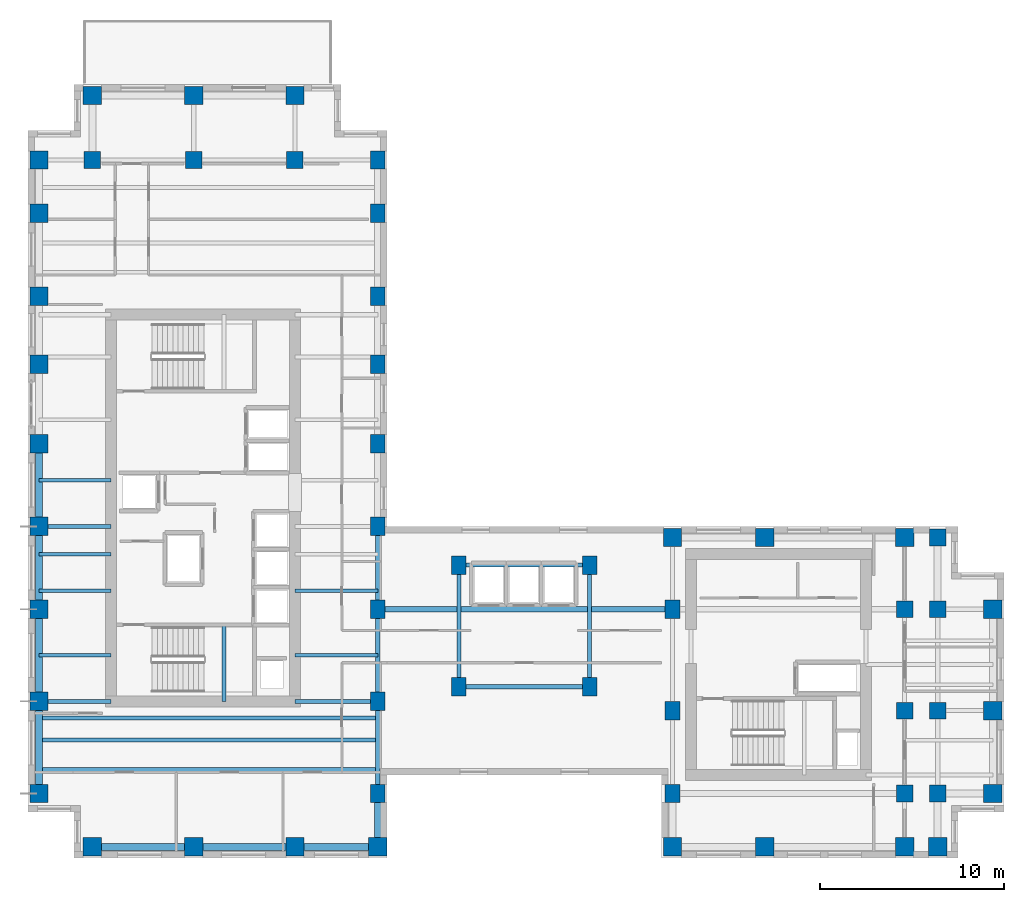
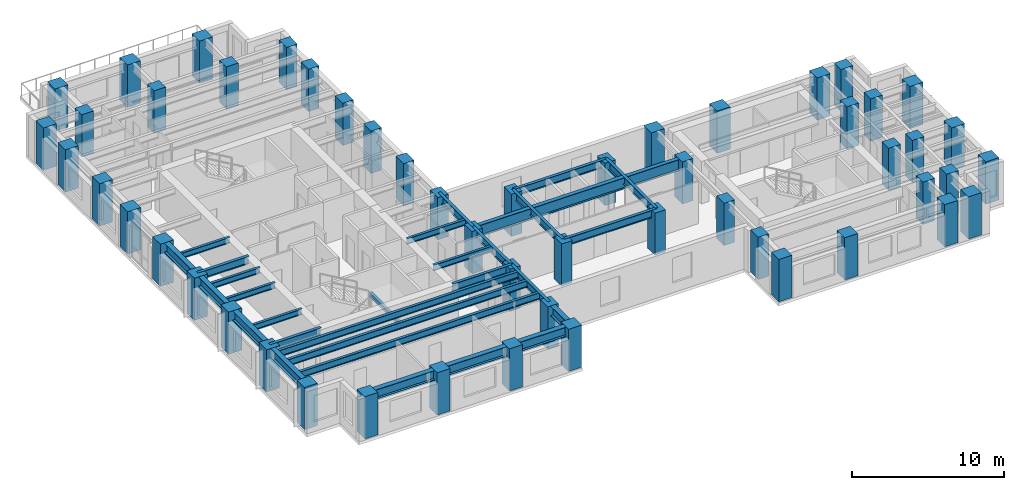
# One storey, part 1 of 13: 52 columns, 29 beams.
"""IFC4 building model written with IfcOpenShell, lengths in metres."""

from ifc_helpers import new_model, si_unit, direction, frame, origin, origin_2d, place, context, subcontext, project, spatial, rectangle, i_section, extrude, source, transform, mapped, material, material_profile, profile_set, type_object, element, save


model = new_model("IFC4")

# Units and contexts
model_context = context("Model", 3, precision=1e-05, world=origin(), true_north=direction((0.0, 1.0)))
body_context = subcontext(model_context, "Body", "Model", "MODEL_VIEW")
ifc_project = project(units=[si_unit("LENGTHUNIT", "METRE"), si_unit("AREAUNIT", "SQUARE_METRE"), si_unit("VOLUMEUNIT", "CUBIC_METRE"), si_unit("PLANEANGLEUNIT", "RADIAN"), si_unit("MASSUNIT", "GRAM", prefix="KILO")], contexts=[model_context])

# Site, building, storey
site_placement = place(None, origin())
site = spatial("IfcSite", under=ifc_project, at=site_placement, CompositionType="ELEMENT")
building_placement = place(site_placement, origin())
building = spatial("IfcBuilding", under=site, at=building_placement, Name="Kharzan Plaza Tower", CompositionType="ELEMENT")
storey_placement = place(building_placement, frame((0.0, 0.0, 143.10009765625)))
storey = spatial("IfcBuildingStorey", under=building, at=storey_placement, Name="L38", CompositionType="ELEMENT", Elevation=143.10009765625)

# Columns
ifc_material_1 = material(Name="Concrete C50/60", Category="concrete")
ifc_material_profile_1 = material_profile(ifc_material_1, rectangle(XDim=0.89990234375, YDim=0.89990234375, at=origin_2d()), Name="RC-IC900x900")
ifc_profile_set_1 = profile_set([ifc_material_profile_1], Name="Concrete C50/60")
column_type_1 = type_object("IfcColumnType", Name="COL-IC900", PredefinedType="COLUMN", material=ifc_profile_set_1)
shared_shape_1 = source(origin(), body_context, "Body", "SweptSolid", [
    extrude(rectangle(XDim=0.89990234375, YDim=0.89990234375, at=origin_2d()), origin(), (0.0, 0.0, 1.0), 3.39990234375),
])
for number, where, z_axis, x_axis, name in (
    (1, (47.60009765625, 13.5, 0.0), (0.0, 0.0, 1.0), (1.0, 0.0, 0.0), "L38 Structural Column TCBI-135"),
    (2, (47.60009765625, 3.5, 0.0), (0.0, 0.0, 1.0), (1.0, 0.0, 0.0), "L38 Structural Column TCBI-35"),
    (3, (47.60009765625, 8.0, 0.0), (0.0, 0.0, 1.0), (1.0, 0.0, 0.0), "L38 Structural Column TCBI-80"),
    (4, (49.39990234375, 13.5, 0.0), (0.0, 0.0, 1.0), (1.0, 0.0, 0.0), "L38 Structural Column TCE-494-135"),
    (5, (49.39990234375, 17.39990234375, 0.0), (0.0, 0.0, 1.0), (1.0, 0.0, 0.0), "L38 Structural Column TCE-494-174"),
    (6, (49.39990234375, 3.5, 0.0), (0.0, 0.0, 1.0), (1.0, 0.0, 0.0), "L38 Structural Column TCE-494-35"),
    (7, (49.39990234375, 8.0, 0.0), (0.0, 0.0, 1.0), (1.0, 0.0, 0.0), "L38 Structural Column TCE-494-80"),
    (8, (14.5, 37.89990234375, 0.0), (0.0, 0.0, 1.0), (1.0, 0.0, 0.0), "L38 Structural Column TCN-145-379"),
    (9, (3.5, 37.89990234375, 0.0), (0.0, 0.0, 1.0), (1.0, 0.0, 0.0), "L38 Structural Column TCN-35-379"),
    (10, (9.0, 37.89990234375, 0.0), (0.0, 0.0, 1.0), (1.0, 0.0, 0.0), "L38 Structural Column TCN-90-379"),
):
    element("IfcColumn", number, at=place(storey_placement, frame(where, z_axis=z_axis, x_axis=x_axis)), inside=storey, type_object=column_type_1, Name=name, PredefinedType="COLUMN", context=body_context, shape_type="MappedRepresentation", body=[
        mapped(shared_shape_1, transform((0.0, 0.0, 0.0), x_axis=(1.0, 0.0, 0.0), y_axis=(0.0, 1.0, 0.0), z_axis=(0.0, 0.0, 1.0))),
    ])
ifc_material_profile_2 = material_profile(ifc_material_1, rectangle(XDim=0.800048828125, YDim=1.0, at=origin_2d()), Name="RC-SC1000x800")
ifc_profile_set_2 = profile_set([ifc_material_profile_2], Name="Concrete C50/60")
column_type_2 = type_object("IfcColumnType", Name="COL-SC1000", PredefinedType="COLUMN", material=ifc_profile_set_2)
shared_shape_2 = source(origin(), body_context, "Body", "SweptSolid", [
    extrude(rectangle(XDim=0.800048828125, YDim=1.0, at=origin_2d()), origin(), (0.0, 0.0, 1.0), 3.39990234375),
])
for number, where, z_axis, x_axis, name in (
    (11, (19.0, 13.5, 0.0), (0.0, 0.0, 1.0), (1.0, 0.0, 0.0), "L38 Structural Column TCA-135"),
    (12, (19.0, 18.0, 0.0), (0.0, 0.0, 1.0), (1.0, 0.0, 0.0), "L38 Structural Column TCA-180"),
    (13, (19.0, 22.5, 0.0), (0.0, 0.0, 1.0), (1.0, 0.0, 0.0), "L38 Structural Column TCA-225"),
    (14, (19.0, 26.800048828125, 0.0), (0.0, 0.0, 1.0), (1.0, 0.0, 0.0), "L38 Structural Column TCA-268"),
    (15, (19.0, 30.5, 0.0), (0.0, 0.0, 1.0), (1.0, 0.0, 0.0), "L38 Structural Column TCA-305"),
    (16, (19.0, 3.5, 0.0), (0.0, 0.0, 1.0), (1.0, 0.0, 0.0), "L38 Structural Column TCA-35"),
    (17, (19.0, 35.0, 0.0), (0.0, 0.0, 1.0), (1.0, 0.0, 0.0), "L38 Structural Column TCA-350"),
    (18, (19.0, 37.89990234375, 0.0), (0.0, 0.0, 1.0), (1.0, 0.0, 0.0), "L38 Structural Column TCA-379"),
    (19, (19.0, 8.5, 0.0), (0.0, 0.0, 1.0), (1.0, 0.0, 0.0), "L38 Structural Column TCA-85"),
    (20, (35.0, 13.5, 0.0), (0.0, 0.0, 1.0), (1.0, 0.0, 0.0), "L38 Structural Column TCBS-135"),
    (21, (35.0, 3.5, 0.0), (0.0, 0.0, 1.0), (1.0, 0.0, 0.0), "L38 Structural Column TCBS-35"),
    (22, (35.0, 8.0, 0.0), (0.0, 0.0, 1.0), (1.0, 0.0, 0.0), "L38 Structural Column TCBS-80"),
    (23, (23.39990234375, 15.89990234375, 0.0), (0.0, 0.0, 1.0), (1.0, 0.0, 0.0), "L38 Structural Column TCSP-234-159"),
    (24, (23.39990234375, 9.300048828125, 0.0), (0.0, 0.0, 1.0), (1.0, 0.0, 0.0), "L38 Structural Column TCSP-234-93"),
    (25, (30.5, 15.89990234375, 0.0), (0.0, 0.0, 1.0), (1.0, 0.0, 0.0), "L38 Structural Column TCSP-305-159"),
    (26, (30.5, 9.300048828125, 0.0), (0.0, 0.0, 1.0), (1.0, 0.0, 0.0), "L38 Structural Column TCSP-305-93"),
):
    element("IfcColumn", number, at=place(storey_placement, frame(where, z_axis=z_axis, x_axis=x_axis)), inside=storey, type_object=column_type_2, Name=name, PredefinedType="COLUMN", context=body_context, shape_type="MappedRepresentation", body=[
        mapped(shared_shape_2, transform((0.0, 0.0, 0.0), x_axis=(1.0, 0.0, 0.0), y_axis=(0.0, 1.0, 0.0), z_axis=(0.0, 0.0, 1.0))),
    ])
ifc_material_profile_3 = material_profile(ifc_material_1, rectangle(XDim=1.0, YDim=1.0, at=origin_2d()), Name="RC-TC1000x1000")
ifc_profile_set_3 = profile_set([ifc_material_profile_3], Name="Concrete C50/60")
column_type_3 = type_object("IfcColumnType", Name="COL-TC1000", PredefinedType="COLUMN", material=ifc_profile_set_3)
shared_shape_3 = source(origin(), body_context, "Body", "SweptSolid", [
    extrude(rectangle(XDim=1.0, YDim=1.0, at=origin_2d()), origin(), (0.0, 0.0, 1.0), 3.39990234375),
])
for number, where, z_axis, x_axis, name in (
    (27, (35.0, 17.39990234375, 0.0), (0.0, 0.0, 1.0), (1.0, 0.0, 0.0), "L38 Structural Column TCBN-350-174"),
    (28, (40.0, 17.39990234375, 0.0), (0.0, 0.0, 1.0), (1.0, 0.0, 0.0), "L38 Structural Column TCBN-400-174"),
    (29, (47.60009765625, 17.39990234375, 0.0), (0.0, 0.0, 1.0), (1.0, 0.0, 0.0), "L38 Structural Column TCBN-476-174"),
    (30, (52.39990234375, 13.5, 0.0), (0.0, 0.0, 1.0), (1.0, 0.0, 0.0), "L38 Structural Column TCE-524-135"),
    (31, (52.39990234375, 3.5, 0.0), (0.0, 0.0, 1.0), (1.0, 0.0, 0.0), "L38 Structural Column TCE-524-35"),
    (32, (52.39990234375, 8.0, 0.0), (0.0, 0.0, 1.0), (1.0, 0.0, 0.0), "L38 Structural Column TCE-524-80"),
    (33, (14.5, 41.39990234375, 0.0), (0.0, 0.0, 1.0), (1.0, 0.0, 0.0), "L38 Structural Column TCN-145-414"),
    (34, (3.5, 41.39990234375, 0.0), (0.0, 0.0, 1.0), (1.0, 0.0, 0.0), "L38 Structural Column TCN-35-414"),
    (35, (9.0, 41.39990234375, 0.0), (0.0, 0.0, 1.0), (1.0, 0.0, 0.0), "L38 Structural Column TCN-90-414"),
    (36, (14.5, 0.60009765625, 0.0), (0.0, 0.0, 1.0), (1.0, 0.0, 0.0), "L38 Structural Column TCS-145"),
    (37, (19.0, 0.60009765625, 0.0), (0.0, 0.0, 1.0), (1.0, 0.0, 0.0), "L38 Structural Column TCS-190"),
    (38, (3.5, 0.60009765625, 0.0), (0.0, 0.0, 1.0), (1.0, 0.0, 0.0), "L38 Structural Column TCS-35"),
    (39, (35.0, 0.60009765625, 0.0), (0.0, 0.0, 1.0), (1.0, 0.0, 0.0), "L38 Structural Column TCS-350"),
    (40, (40.0, 0.60009765625, 0.0), (0.0, 0.0, 1.0), (1.0, 0.0, 0.0), "L38 Structural Column TCS-400"),
    (41, (47.60009765625, 0.60009765625, 0.0), (0.0, 0.0, 1.0), (1.0, 0.0, 0.0), "L38 Structural Column TCS-476"),
    (42, (49.39990234375, 0.60009765625, 0.0), (0.0, 0.0, 1.0), (1.0, 0.0, 0.0), "L38 Structural Column TCS-494"),
    (43, (9.0, 0.60009765625, 0.0), (0.0, 0.0, 1.0), (1.0, 0.0, 0.0), "L38 Structural Column TCS-90"),
    (44, (0.60009765625, 13.5, 0.0), (0.0, 0.0, 1.0), (1.0, 0.0, 0.0), "L38 Structural Column TCW-135"),
    (45, (0.60009765625, 18.0, 0.0), (0.0, 0.0, 1.0), (1.0, 0.0, 0.0), "L38 Structural Column TCW-180"),
    (46, (0.60009765625, 22.5, 0.0), (0.0, 0.0, 1.0), (1.0, 0.0, 0.0), "L38 Structural Column TCW-225"),
    (47, (0.60009765625, 26.800048828125, 0.0), (0.0, 0.0, 1.0), (1.0, 0.0, 0.0), "L38 Structural Column TCW-268"),
    (48, (0.60009765625, 30.5, 0.0), (0.0, 0.0, 1.0), (1.0, 0.0, 0.0), "L38 Structural Column TCW-305"),
    (49, (0.60009765625, 3.5, 0.0), (0.0, 0.0, 1.0), (1.0, 0.0, 0.0), "L38 Structural Column TCW-35"),
    (50, (0.60009765625, 35.0, 0.0), (0.0, 0.0, 1.0), (1.0, 0.0, 0.0), "L38 Structural Column TCW-350"),
    (51, (0.60009765625, 37.89990234375, 0.0), (0.0, 0.0, 1.0), (1.0, 0.0, 0.0), "L38 Structural Column TCW-379"),
    (52, (0.60009765625, 8.5, 0.0), (0.0, 0.0, 1.0), (1.0, 0.0, 0.0), "L38 Structural Column TCW-85"),
):
    element("IfcColumn", number, at=place(storey_placement, frame(where, z_axis=z_axis, x_axis=x_axis)), inside=storey, type_object=column_type_3, Name=name, PredefinedType="COLUMN", context=body_context, shape_type="MappedRepresentation", body=[
        mapped(shared_shape_3, transform((0.0, 0.0, 0.0), x_axis=(1.0, 0.0, 0.0), y_axis=(0.0, 1.0, 0.0), z_axis=(0.0, 0.0, 1.0))),
    ])

# Beams
ifc_material_2 = material(Name="Steel S355", Category="steel")
ifc_material_profile_4 = material_profile(ifc_material_2, i_section(OverallWidth=0.205078125, OverallDepth=0.35400390625, WebThickness=0.009521484375, FlangeThickness=0.016845703125, at=origin_2d()), Name="W360x79")
ifc_profile_set_4 = profile_set([ifc_material_profile_4], Name="Steel S355")
beam_type_1 = type_object("IfcBeamType", Name="BM-LNT360", PredefinedType="LINTEL", material=ifc_profile_set_4)
shared_shape_4 = source(origin(), body_context, "Body", "SweptSolid", [
    extrude(i_section(OverallWidth=0.205078125, OverallDepth=0.35400390625, WebThickness=0.009521484375, FlangeThickness=0.016845703125, at=origin_2d()), origin(), (0.0, 0.0, 1.0), 4.155029296875),
])
beam_1_placement = place(storey_placement, frame((10.64990234375, 8.5, 1.4228515625), z_axis=(0.0, 1.0, 0.0), x_axis=(-1.0, 0.0, 0.0)))
element("IfcBeam", 53, at=beam_1_placement, inside=storey, type_object=beam_type_1, Name="L38 Stair ST-1 Half-Landing Beam", PredefinedType="LINTEL", context=body_context, shape_type="MappedRepresentation", body=[
    mapped(shared_shape_4, transform((0.0, 0.0, 0.0), x_axis=(1.0, 0.0, 0.0), y_axis=(0.0, 1.0, 0.0), z_axis=(0.0, 0.0, 1.0))),
])
ifc_material_profile_5 = material_profile(ifc_material_2, i_section(OverallWidth=0.304931640625, OverallDepth=0.9189453125, WebThickness=0.017333984375, FlangeThickness=0.02783203125, at=origin_2d()), Name="W920x253")
ifc_profile_set_5 = profile_set([ifc_material_profile_5], Name="Steel S355")
beam_type_2 = type_object("IfcBeamType", Name="BM-FG920B", PredefinedType="BEAM", material=ifc_profile_set_5)
shared_shape_5 = source(origin(), body_context, "Body", "SweptSolid", [
    extrude(i_section(OverallWidth=0.304931640625, OverallDepth=0.9189453125, WebThickness=0.017333984375, FlangeThickness=0.02783203125, at=origin_2d()), origin(), (0.0, 0.0, 1.0), 16.0),
])
beam_2_placement = place(storey_placement, frame((19.0, 13.5, 2.9404296875), z_axis=(1.0, 0.0, 0.0), x_axis=(0.0, 1.0, 0.0)))
element("IfcBeam", 54, at=beam_2_placement, inside=storey, type_object=beam_type_2, Name="L38 Primary Floor Girder", PredefinedType="BEAM", context=body_context, shape_type="MappedRepresentation", body=[
    mapped(shared_shape_5, transform((0.0, 0.0, 0.0), x_axis=(1.0, 0.0, 0.0), y_axis=(0.0, 1.0, 0.0), z_axis=(0.0, 0.0, 1.0))),
])
ifc_material_profile_6 = material_profile(ifc_material_2, i_section(OverallWidth=0.2099609375, OverallDepth=0.537109375, WebThickness=0.010986328125, FlangeThickness=0.017333984375, at=origin_2d()), Name="W530x101")
ifc_profile_set_6 = profile_set([ifc_material_profile_6], Name="Steel S355")
beam_type_3 = type_object("IfcBeamType", Name="BM-JST530B", PredefinedType="JOIST", material=ifc_profile_set_6)
shared_shape_6 = source(origin(), body_context, "Body", "SweptSolid", [
    extrude(i_section(OverallWidth=0.2099609375, OverallDepth=0.537109375, WebThickness=0.010986328125, FlangeThickness=0.017333984375, at=origin_2d()), origin(), (0.0, 0.0, 1.0), 18.39990234375),
])
for number, where, z_axis, x_axis, name in (
    (55, (0.60009765625, 4.800048828125, 3.13134765625), (1.0, 0.0, 0.0), (0.0, 1.0, 0.0), "L38 Wing A Composite Joist 01"),
    (56, (0.60009765625, 6.39990234375, 3.13134765625), (1.0, 0.0, 0.0), (0.0, 1.0, 0.0), "L38 Wing A Composite Joist 02"),
    (57, (0.60009765625, 7.60009765625, 3.13134765625), (1.0, 0.0, 0.0), (0.0, 1.0, 0.0), "L38 Wing A Composite Joist 03"),
):
    element("IfcBeam", number, at=place(storey_placement, frame(where, z_axis=z_axis, x_axis=x_axis)), inside=storey, type_object=beam_type_3, Name=name, PredefinedType="JOIST", context=body_context, shape_type="MappedRepresentation", body=[
        mapped(shared_shape_6, transform((0.0, 0.0, 0.0), x_axis=(1.0, 0.0, 0.0), y_axis=(0.0, 1.0, 0.0), z_axis=(0.0, 0.0, 1.0))),
    ])
ifc_material_profile_7 = material_profile(ifc_material_2, i_section(OverallWidth=0.194091796875, OverallDepth=0.468994140625, WebThickness=0.011474609375, FlangeThickness=0.0205078125, at=origin_2d()), Name="W460x106")
ifc_profile_set_7 = profile_set([ifc_material_profile_7], Name="Steel S355")
beam_type_4 = type_object("IfcBeamType", Name="BM-JST460", PredefinedType="JOIST", material=ifc_profile_set_7)
shared_shape_7 = source(origin(), body_context, "Body", "SweptSolid", [
    extrude(i_section(OverallWidth=0.194091796875, OverallDepth=0.468994140625, WebThickness=0.011474609375, FlangeThickness=0.0205078125, at=origin_2d()), origin(), (0.0, 0.0, 1.0), 4.5),
])
for number, where, z_axis, x_axis, name in (
    (58, (14.5, 11.0, 3.165283203125), (1.0, 0.0, 0.0), (0.0, 1.0, 0.0), "L38 Wing A East Infill Joist 1"),
    (59, (14.5, 14.5, 3.165283203125), (1.0, 0.0, 0.0), (0.0, 1.0, 0.0), "L38 Wing A East Infill Joist 2"),
):
    element("IfcBeam", number, at=place(storey_placement, frame(where, z_axis=z_axis, x_axis=x_axis)), inside=storey, type_object=beam_type_4, Name=name, PredefinedType="JOIST", context=body_context, shape_type="MappedRepresentation", body=[
        mapped(shared_shape_7, transform((0.0, 0.0, 0.0), x_axis=(1.0, 0.0, 0.0), y_axis=(0.0, 1.0, 0.0), z_axis=(0.0, 0.0, 1.0))),
    ])
shared_shape_8 = source(origin(), body_context, "Body", "SweptSolid", [
    extrude(i_section(OverallWidth=0.194091796875, OverallDepth=0.468994140625, WebThickness=0.011474609375, FlangeThickness=0.0205078125, at=origin_2d()), origin(), (0.0, 0.0, 1.0), 3.89990234375),
])
for number, where, z_axis, x_axis, name in (
    (60, (0.60009765625, 11.0, 3.165283203125), (1.0, 0.0, 0.0), (0.0, 1.0, 0.0), "L38 Wing A West Infill Joist 1"),
    (61, (0.60009765625, 14.5, 3.165283203125), (1.0, 0.0, 0.0), (0.0, 1.0, 0.0), "L38 Wing A West Infill Joist 2"),
    (62, (0.60009765625, 16.5, 3.165283203125), (1.0, 0.0, 0.0), (0.0, 1.0, 0.0), "L38 Wing A West Infill Joist 3"),
    (63, (0.60009765625, 20.5, 3.165283203125), (1.0, 0.0, 0.0), (0.0, 1.0, 0.0), "L38 Wing A West Infill Joist 4"),
):
    element("IfcBeam", number, at=place(storey_placement, frame(where, z_axis=z_axis, x_axis=x_axis)), inside=storey, type_object=beam_type_4, Name=name, PredefinedType="JOIST", context=body_context, shape_type="MappedRepresentation", body=[
        mapped(shared_shape_8, transform((0.0, 0.0, 0.0), x_axis=(1.0, 0.0, 0.0), y_axis=(0.0, 1.0, 0.0), z_axis=(0.0, 0.0, 1.0))),
    ])
ifc_material_profile_8 = material_profile(ifc_material_2, i_section(OverallWidth=0.22900390625, OverallDepth=0.612060546875, WebThickness=0.011962890625, FlangeThickness=0.01953125, at=origin_2d()), Name="W610x125")
ifc_profile_set_8 = profile_set([ifc_material_profile_8], Name="Steel S355")
beam_type_5 = type_object("IfcBeamType", Name="BM-FG610B", PredefinedType="BEAM", material=ifc_profile_set_8)
shared_shape_9 = source(origin(), body_context, "Body", "SweptSolid", [
    extrude(i_section(OverallWidth=0.22900390625, OverallDepth=0.612060546875, WebThickness=0.011962890625, FlangeThickness=0.01953125, at=origin_2d()), origin(), (0.0, 0.0, 1.0), 4.5),
])
for number, where, z_axis, x_axis, name in (
    (64, (14.5, 8.5, 3.093994140625), (1.0, 0.0, 0.0), (0.0, 1.0, 0.0), "L38 Core-A East Floor Girder 1"),
    (65, (19.0, 13.5, 3.093994140625), (0.0, 1.0, 0.0), (-1.0, 0.0, 0.0), "L38 Interior Frame Girder"),
):
    element("IfcBeam", number, at=place(storey_placement, frame(where, z_axis=z_axis, x_axis=x_axis)), inside=storey, type_object=beam_type_5, Name=name, PredefinedType="BEAM", context=body_context, shape_type="MappedRepresentation", body=[
        mapped(shared_shape_9, transform((0.0, 0.0, 0.0), x_axis=(1.0, 0.0, 0.0), y_axis=(0.0, 1.0, 0.0), z_axis=(0.0, 0.0, 1.0))),
    ])
shared_shape_10 = source(origin(), body_context, "Body", "SweptSolid", [
    extrude(i_section(OverallWidth=0.22900390625, OverallDepth=0.612060546875, WebThickness=0.011962890625, FlangeThickness=0.01953125, at=origin_2d()), origin(), (0.0, 0.0, 1.0), 3.89990234375),
])
for number, where, z_axis, x_axis, name in (
    (66, (0.60009765625, 8.5, 3.093994140625), (1.0, 0.0, 0.0), (0.0, 1.0, 0.0), "L38 Core-A West Floor Girder 1"),
    (67, (0.60009765625, 18.0, 3.093994140625), (1.0, 0.0, 0.0), (0.0, 1.0, 0.0), "L38 Core-A West Floor Girder 2"),
):
    element("IfcBeam", number, at=place(storey_placement, frame(where, z_axis=z_axis, x_axis=x_axis)), inside=storey, type_object=beam_type_5, Name=name, PredefinedType="BEAM", context=body_context, shape_type="MappedRepresentation", body=[
        mapped(shared_shape_10, transform((0.0, 0.0, 0.0), x_axis=(1.0, 0.0, 0.0), y_axis=(0.0, 1.0, 0.0), z_axis=(0.0, 0.0, 1.0))),
    ])
shared_shape_11 = source(origin(), body_context, "Body", "SweptSolid", [
    extrude(i_section(OverallWidth=0.22900390625, OverallDepth=0.612060546875, WebThickness=0.011962890625, FlangeThickness=0.01953125, at=origin_2d()), origin(), (0.0, 0.0, 1.0), 5.0),
])
for number, where, z_axis, x_axis, name in (
    (68, (19.0, 3.5, 3.093994140625), (0.0, 1.0, 0.0), (-1.0, 0.0, 0.0), "L38 Interior Frame Girder"),
    (69, (19.0, 8.5, 3.093994140625), (0.0, 1.0, 0.0), (-1.0, 0.0, 0.0), "L38 Interior Frame Girder"),
):
    element("IfcBeam", number, at=place(storey_placement, frame(where, z_axis=z_axis, x_axis=x_axis)), inside=storey, type_object=beam_type_5, Name=name, PredefinedType="BEAM", context=body_context, shape_type="MappedRepresentation", body=[
        mapped(shared_shape_11, transform((0.0, 0.0, 0.0), x_axis=(1.0, 0.0, 0.0), y_axis=(0.0, 1.0, 0.0), z_axis=(0.0, 0.0, 1.0))),
    ])
shared_shape_12 = source(origin(), body_context, "Body", "SweptSolid", [
    extrude(i_section(OverallWidth=0.22900390625, OverallDepth=0.612060546875, WebThickness=0.011962890625, FlangeThickness=0.01953125, at=origin_2d()), origin(), (0.0, 0.0, 1.0), 6.599853515625),
])
for number, where, z_axis, x_axis, name in (
    (70, (23.39990234375, 9.300048828125, 3.093994140625), (0.0, 1.0, 0.0), (-1.0, 0.0, 0.0), "L38 Interior Frame Girder"),
    (71, (30.5, 9.300048828125, 3.093994140625), (0.0, 1.0, 0.0), (-1.0, 0.0, 0.0), "L38 Interior Frame Girder"),
):
    element("IfcBeam", number, at=place(storey_placement, frame(where, z_axis=z_axis, x_axis=x_axis)), inside=storey, type_object=beam_type_5, Name=name, PredefinedType="BEAM", context=body_context, shape_type="MappedRepresentation", body=[
        mapped(shared_shape_12, transform((0.0, 0.0, 0.0), x_axis=(1.0, 0.0, 0.0), y_axis=(0.0, 1.0, 0.0), z_axis=(0.0, 0.0, 1.0))),
    ])
shared_shape_13 = source(origin(), body_context, "Body", "SweptSolid", [
    extrude(i_section(OverallWidth=0.22900390625, OverallDepth=0.612060546875, WebThickness=0.011962890625, FlangeThickness=0.01953125, at=origin_2d()), origin(), (0.0, 0.0, 1.0), 7.10009765625),
])
for number, where, z_axis, x_axis, name in (
    (72, (23.39990234375, 9.300048828125, 3.093994140625), (1.0, 0.0, 0.0), (0.0, 1.0, 0.0), "L38 Primary Floor Girder"),
    (73, (23.39990234375, 15.89990234375, 3.093994140625), (1.0, 0.0, 0.0), (0.0, 1.0, 0.0), "L38 Primary Floor Girder"),
):
    element("IfcBeam", number, at=place(storey_placement, frame(where, z_axis=z_axis, x_axis=x_axis)), inside=storey, type_object=beam_type_5, Name=name, PredefinedType="BEAM", context=body_context, shape_type="MappedRepresentation", body=[
        mapped(shared_shape_13, transform((0.0, 0.0, 0.0), x_axis=(1.0, 0.0, 0.0), y_axis=(0.0, 1.0, 0.0), z_axis=(0.0, 0.0, 1.0))),
    ])
ifc_material_profile_9 = material_profile(ifc_material_2, i_section(OverallWidth=0.381103515625, OverallDepth=0.77294921875, WebThickness=0.0166015625, FlangeThickness=0.027587890625, at=origin_2d()), Name="W760x257")
ifc_profile_set_9 = profile_set([ifc_material_profile_9], Name="Steel S355")
beam_type_6 = type_object("IfcBeamType", Name="BM-SP760A", PredefinedType="SPANDREL", material=ifc_profile_set_9)
shared_shape_14 = source(origin(), body_context, "Body", "SweptSolid", [
    extrude(i_section(OverallWidth=0.381103515625, OverallDepth=0.77294921875, WebThickness=0.0166015625, FlangeThickness=0.027587890625, at=origin_2d()), origin(), (0.0, 0.0, 1.0), 5.0),
])
for number, where, z_axis, x_axis, name in (
    (74, (0.60009765625, 3.5, 3.013427734375), (0.0, 1.0, 0.0), (-1.0, 0.0, 0.0), "L38 Perimeter Tube Spandrel"),
    (75, (0.60009765625, 8.5, 3.013427734375), (0.0, 1.0, 0.0), (-1.0, 0.0, 0.0), "L38 Perimeter Tube Spandrel"),
):
    element("IfcBeam", number, at=place(storey_placement, frame(where, z_axis=z_axis, x_axis=x_axis)), inside=storey, type_object=beam_type_6, Name=name, PredefinedType="SPANDREL", context=body_context, shape_type="MappedRepresentation", body=[
        mapped(shared_shape_14, transform((0.0, 0.0, 0.0), x_axis=(1.0, 0.0, 0.0), y_axis=(0.0, 1.0, 0.0), z_axis=(0.0, 0.0, 1.0))),
    ])
shared_shape_15 = source(origin(), body_context, "Body", "SweptSolid", [
    extrude(i_section(OverallWidth=0.381103515625, OverallDepth=0.77294921875, WebThickness=0.0166015625, FlangeThickness=0.027587890625, at=origin_2d()), origin(), (0.0, 0.0, 1.0), 4.5),
])
for number, where, z_axis, x_axis, name in (
    (76, (0.60009765625, 13.5, 3.013427734375), (0.0, 1.0, 0.0), (-1.0, 0.0, 0.0), "L38 Perimeter Tube Spandrel"),
    (77, (0.60009765625, 18.0, 3.013427734375), (0.0, 1.0, 0.0), (-1.0, 0.0, 0.0), "L38 Perimeter Tube Spandrel"),
    (78, (14.5, 0.60009765625, 3.013427734375), (1.0, 0.0, 0.0), (0.0, 1.0, 0.0), "L38 Perimeter Tube Spandrel"),
):
    element("IfcBeam", number, at=place(storey_placement, frame(where, z_axis=z_axis, x_axis=x_axis)), inside=storey, type_object=beam_type_6, Name=name, PredefinedType="SPANDREL", context=body_context, shape_type="MappedRepresentation", body=[
        mapped(shared_shape_15, transform((0.0, 0.0, 0.0), x_axis=(1.0, 0.0, 0.0), y_axis=(0.0, 1.0, 0.0), z_axis=(0.0, 0.0, 1.0))),
    ])
shared_shape_16 = source(origin(), body_context, "Body", "SweptSolid", [
    extrude(i_section(OverallWidth=0.381103515625, OverallDepth=0.77294921875, WebThickness=0.0166015625, FlangeThickness=0.027587890625, at=origin_2d()), origin(), (0.0, 0.0, 1.0), 2.89990234375),
])
beam_3_placement = place(storey_placement, frame((19.0, 0.60009765625, 3.013427734375), z_axis=(0.0, 1.0, 0.0), x_axis=(-1.0, 0.0, 0.0)))
element("IfcBeam", 79, at=beam_3_placement, inside=storey, type_object=beam_type_6, Name="L38 Perimeter Tube Spandrel", PredefinedType="SPANDREL", context=body_context, shape_type="MappedRepresentation", body=[
    mapped(shared_shape_16, transform((0.0, 0.0, 0.0), x_axis=(1.0, 0.0, 0.0), y_axis=(0.0, 1.0, 0.0), z_axis=(0.0, 0.0, 1.0))),
])
shared_shape_17 = source(origin(), body_context, "Body", "SweptSolid", [
    extrude(i_section(OverallWidth=0.381103515625, OverallDepth=0.77294921875, WebThickness=0.0166015625, FlangeThickness=0.027587890625, at=origin_2d()), origin(), (0.0, 0.0, 1.0), 5.5),
])
for number, where, z_axis, x_axis, name in (
    (80, (3.5, 0.60009765625, 3.013427734375), (1.0, 0.0, 0.0), (0.0, 1.0, 0.0), "L38 Perimeter Tube Spandrel"),
    (81, (9.0, 0.60009765625, 3.013427734375), (1.0, 0.0, 0.0), (0.0, 1.0, 0.0), "L38 Perimeter Tube Spandrel"),
):
    element("IfcBeam", number, at=place(storey_placement, frame(where, z_axis=z_axis, x_axis=x_axis)), inside=storey, type_object=beam_type_6, Name=name, PredefinedType="SPANDREL", context=body_context, shape_type="MappedRepresentation", body=[
        mapped(shared_shape_17, transform((0.0, 0.0, 0.0), x_axis=(1.0, 0.0, 0.0), y_axis=(0.0, 1.0, 0.0), z_axis=(0.0, 0.0, 1.0))),
    ])

save(model, "model.ifc")
